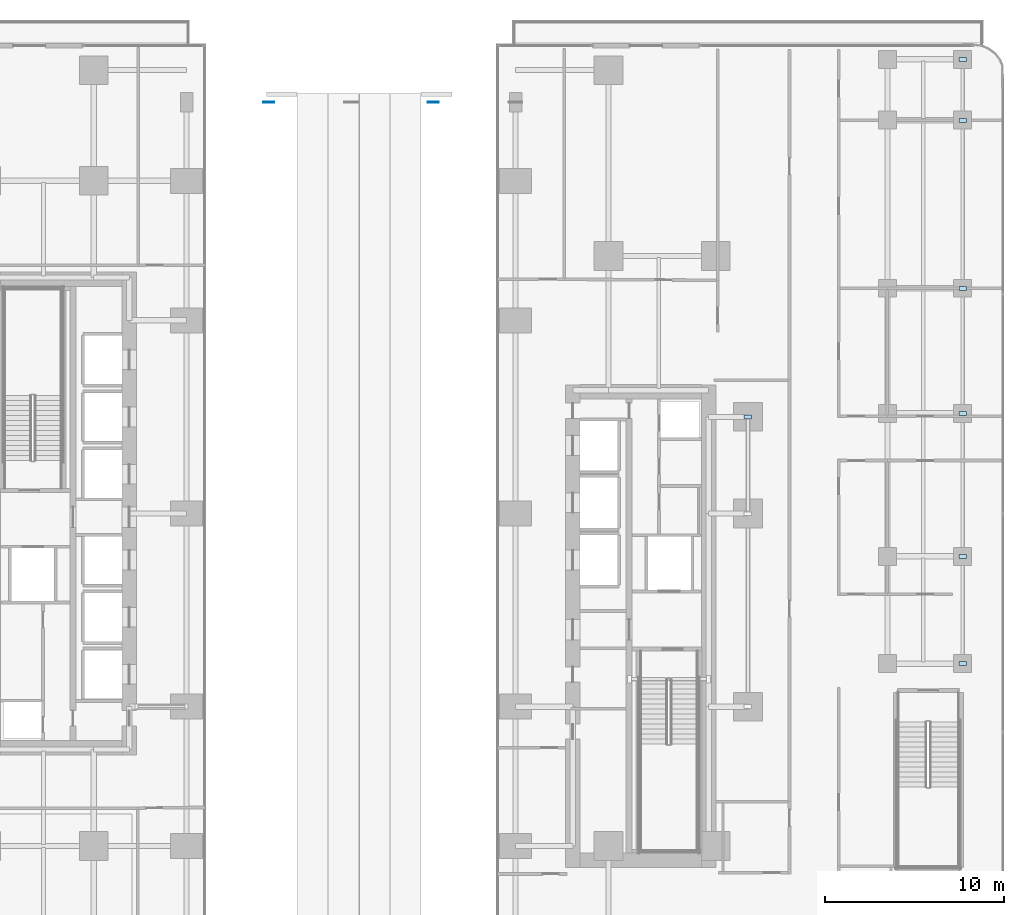
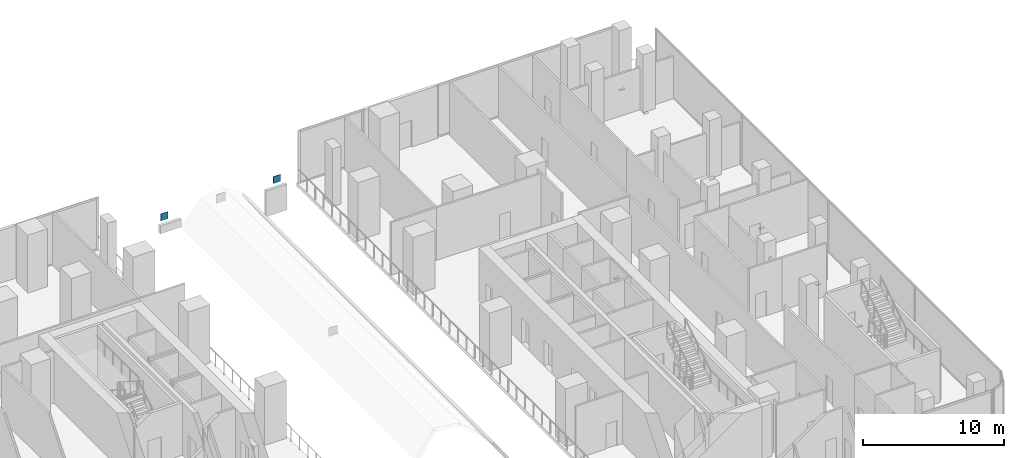
# One storey, part 9 of 32: 9 plates.
"""IFC4 building model written with IfcOpenShell, lengths in metres."""

from ifc_helpers import new_model, si_unit, direction, frame, origin, origin_2d, place, context, subcontext, project, spatial, rectangle, extrude, material, layer, layer_set, type_object, element, save


model = new_model("IFC4")

# Units and contexts
model_context = context("Model", 3, precision=1e-05, world=origin(), true_north=direction((0.0, 1.0)))
body_context = subcontext(model_context, "Body", "Model", "MODEL_VIEW")
ifc_project = project(units=[si_unit("LENGTHUNIT", "METRE"), si_unit("AREAUNIT", "SQUARE_METRE"), si_unit("VOLUMEUNIT", "CUBIC_METRE"), si_unit("PLANEANGLEUNIT", "RADIAN"), si_unit("MASSUNIT", "GRAM", prefix="KILO")], contexts=[model_context])

# Site, building, storey
site_placement = place(None, origin())
site = spatial("IfcSite", under=ifc_project, at=site_placement, CompositionType="ELEMENT")
building_placement = place(site_placement, origin())
building = spatial("IfcBuilding", under=site, at=building_placement, Name="Khairoan Windgate Tower", CompositionType="ELEMENT")
storey_placement = place(building_placement, frame((0.0, 0.0, 16.0)))
storey = spatial("IfcBuildingStorey", under=building, at=storey_placement, Name="L04", CompositionType="ELEMENT", Elevation=16.0)

# Plates
ifc_material_1 = material(Name="Steel S355", Category="steel")
ifc_layer_1 = layer(ifc_material_1, 0.0400390625, Name="Steel S355")
ifc_layer_set_1 = layer_set([ifc_layer_1], Name="Steel S355")
plate_type_1 = type_object("IfcPlateType", Name="Hollow Section End-Cap Plate PL-CAP40", PredefinedType="SHEET", material=ifc_layer_set_1)
for number, where, z_axis, x_axis, name in (
    (1, (22.199951171875, 5.385009765625, -0.52001953125), (0.0, 0.0, 1.0), (0.0, 1.0, 0.0), "BM-SP-L04-085 steel end-cap plate 2"),
    (2, (34.199951171875, -8.385009765625, -0.52001953125), (0.0, 0.0, 1.0), (0.0, 1.0, 0.0), "BM-SP-L04-091 steel end-cap plate 1"),
    (3, (34.199951171875, -2.4150390625, -0.52001953125), (0.0, 0.0, 1.0), (0.0, 1.0, 0.0), "BM-SP-L04-091 steel end-cap plate 2"),
    (4, (34.199951171875, 5.5849609375, -0.52001953125), (0.0, 0.0, 1.0), (0.0, 1.0, 0.0), "BM-SP-L04-092 steel end-cap plate 2"),
    (5, (34.199951171875, 12.5849609375, -0.52001953125), (0.0, 0.0, 1.0), (0.0, 1.0, 0.0), "BM-SP-L04-093 steel end-cap plate 2"),
    (6, (34.199951171875, 21.985107421875, -0.52001953125), (0.0, 0.0, 1.0), (0.0, 1.0, 0.0), "BM-SP-L04-094 steel end-cap plate 2"),
    (7, (34.199951171875, 25.385009765625, -0.52001953125), (0.0, 0.0, 1.0), (0.0, 1.0, 0.0), "BM-SP-L04-095 steel end-cap plate 2"),
):
    element("IfcPlate", number, at=place(storey_placement, frame(where, z_axis=z_axis, x_axis=x_axis)), inside=storey, type_object=plate_type_1, Name=name, PredefinedType="SHEET", context=body_context, shape_type="SweptSolid", body=[
        extrude(rectangle(XDim=0.219970703125, YDim=0.419921875, at=origin_2d()), origin(), (0.0, 0.0, 1.0), 0.0400390625),
    ])
ifc_material_2 = material(Name="Steel S355", Category="steel")
ifc_layer_2 = layer(ifc_material_2, 0.031982421875, Name="Steel S355")
ifc_layer_set_2 = layer_set([ifc_layer_2], Name="Steel S355")
plate_type_2 = type_object("IfcPlateType", Name="Outrigger Node Gusset Plate PL-GUS32", PredefinedType="SHEET", material=ifc_layer_set_2)
for number, where, z_axis, x_axis, name in (
    (8, (-4.60009765625, 23.0, 3.25), (0.0, 0.0, 1.0), (1.0, 0.0, 0.0), "Arch Spandrel Upper Gusset N-1B"),
    (9, (4.60009765625, 23.0, 3.25), (0.0, 0.0, 1.0), (1.0, 0.0, 0.0), "Arch Spandrel Upper Gusset N-2B"),
):
    element("IfcPlate", number, at=place(storey_placement, frame(where, z_axis=z_axis, x_axis=x_axis)), inside=storey, type_object=plate_type_2, Name=name, PredefinedType="SHEET", context=body_context, shape_type="SweptSolid", body=[
        extrude(rectangle(XDim=0.60009765625, YDim=0.031982421875, at=origin_2d()), origin(), (0.0, 0.0, 1.0), 0.60009765625),
    ])

save(model, "model.ifc")
